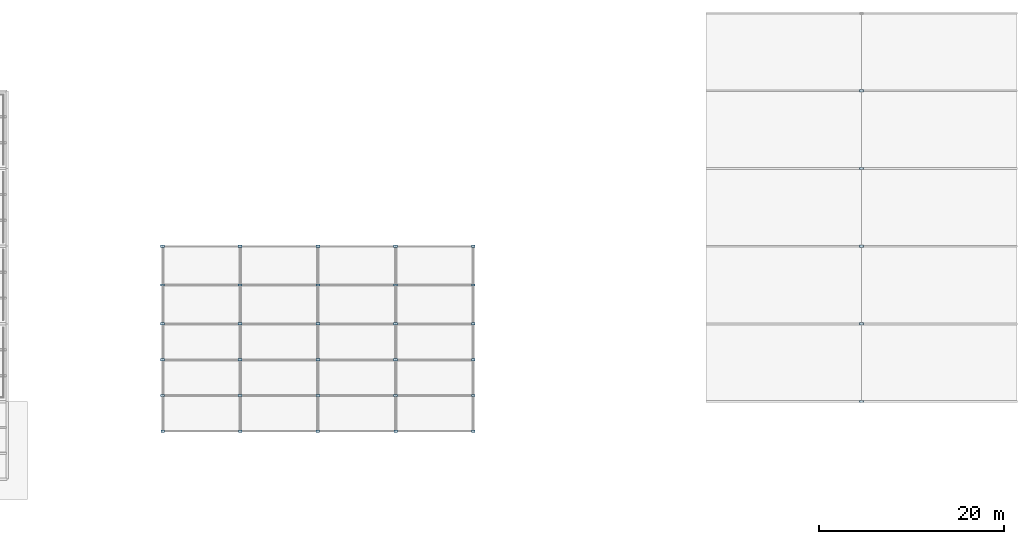
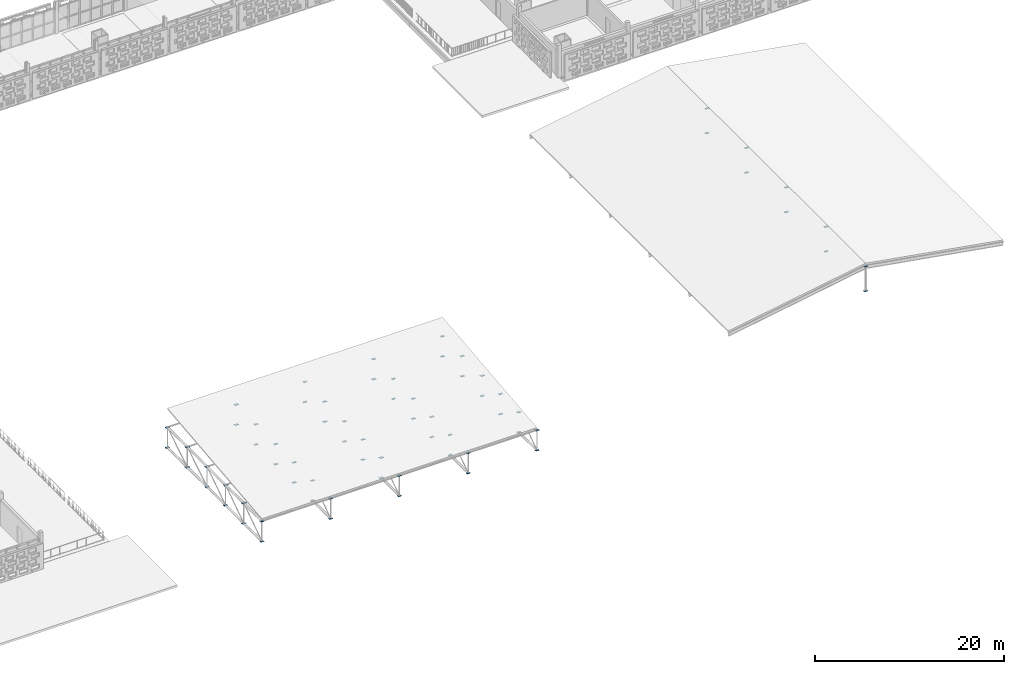
# One storey, part 81 of 140: 70 plates.
"""IFC4 building model written with IfcOpenShell, lengths in metres."""

from ifc_helpers import new_model, si_unit, direction, frame, origin, origin_2d, place, context, subcontext, project, spatial, rectangle, extrude, material, layer, layer_set, type_object, element, save


model = new_model("IFC4")

# Units and contexts
model_context = context("Model", 3, precision=1e-05, world=origin(), true_north=direction((0.0, 1.0)))
body_context = subcontext(model_context, "Body", "Model", "MODEL_VIEW")
ifc_project = project(units=[si_unit("LENGTHUNIT", "METRE"), si_unit("AREAUNIT", "SQUARE_METRE"), si_unit("VOLUMEUNIT", "CUBIC_METRE"), si_unit("PLANEANGLEUNIT", "RADIAN"), si_unit("MASSUNIT", "GRAM", prefix="KILO")], contexts=[model_context])

# Site, building, storey
site_placement = place(None, origin())
site = spatial("IfcSite", under=ifc_project, at=site_placement, CompositionType="ELEMENT")
building_placement = place(site_placement, origin())
building = spatial("IfcBuilding", under=site, at=building_placement, Name="Varnapada Polytechnic", CompositionType="ELEMENT")
storey_placement = place(building_placement, frame((0.0, 0.0, 13.800048828125)))
storey = spatial("IfcBuildingStorey", under=building, at=storey_placement, Name="L03", CompositionType="ELEMENT", Elevation=13.800048828125)

# Plates
ifc_material = material(Name="Steel S355", Category="steel")
ifc_layer_1 = layer(ifc_material, 0.01806640625)
ifc_layer_set_1 = layer_set([ifc_layer_1], Name="Steel S355")
plate_type_1 = type_object("IfcPlateType", Name="Plate BP-06", PredefinedType="SHEET", material=ifc_layer_set_1)
for number, where, z_axis, x_axis, name in (
    (1, (151.199951171875, 8.39990234375, -0.009033203125), (0.0, 0.0, 1.0), (1.0, 0.0, 0.0), "Post splice gusset plate V3-RPPL-01 B"),
    (2, (151.199951171875, 8.39990234375, 3.1708984375), (0.0, 0.0, 1.0), (1.0, 0.0, 0.0), "Post splice gusset plate V3-RPPL-01 T"),
    (3, (151.199951171875, 16.800048828125, -0.009033203125), (0.0, 0.0, 1.0), (1.0, 0.0, 0.0), "Post splice gusset plate V3-RPPL-02 B"),
    (4, (151.199951171875, 16.800048828125, 3.1708984375), (0.0, 0.0, 1.0), (1.0, 0.0, 0.0), "Post splice gusset plate V3-RPPL-02 T"),
    (5, (151.199951171875, 25.199951171875, -0.009033203125), (0.0, 0.0, 1.0), (1.0, 0.0, 0.0), "Post splice gusset plate V3-RPPL-03 B"),
    (6, (151.199951171875, 25.199951171875, 3.1708984375), (0.0, 0.0, 1.0), (1.0, 0.0, 0.0), "Post splice gusset plate V3-RPPL-03 T"),
    (7, (151.199951171875, 33.60009765625, -0.009033203125), (0.0, 0.0, 1.0), (1.0, 0.0, 0.0), "Post splice gusset plate V3-RPPL-04 B"),
    (8, (151.199951171875, 33.60009765625, 3.1708984375), (0.0, 0.0, 1.0), (1.0, 0.0, 0.0), "Post splice gusset plate V3-RPPL-04 T"),
    (9, (151.199951171875, 42.0, -0.009033203125), (0.0, 0.0, 1.0), (1.0, 0.0, 0.0), "Post splice gusset plate V3-RPPL-05 B"),
    (10, (151.199951171875, 42.0, 3.1708984375), (0.0, 0.0, 1.0), (1.0, 0.0, 0.0), "Post splice gusset plate V3-RPPL-05 T"),
):
    element("IfcPlate", number, at=place(storey_placement, frame(where, z_axis=z_axis, x_axis=x_axis)), inside=storey, type_object=plate_type_1, Name=name, PredefinedType="SHEET", context=body_context, shape_type="SweptSolid", body=[
        extrude(rectangle(XDim=0.39990234375, YDim=0.25, at=origin_2d()), origin(), (0.0, 0.0, 1.0), 0.01806640625),
    ])
ifc_layer_2 = layer(ifc_material, 0.02197265625)
ifc_layer_set_2 = layer_set([ifc_layer_2], Name="Steel S355")
plate_type_2 = type_object("IfcPlateType", Name="Plate NP-02", PredefinedType="USERDEFINED", material=ifc_layer_set_2)
for number, where, z_axis, x_axis, name in (
    (11, (75.60009765625, 25.199951171875, -1.361083984375), (0.0, 0.0, 1.0), (1.0, 0.0, 0.0), "Entrance canopy space frame T node plate 1.1"),
    (12, (75.60009765625, 25.199951171875, -3.9609375), (0.0, 0.0, 1.0), (1.0, 0.0, 0.0), "Entrance canopy space frame B node plate 1.1"),
    (13, (75.60009765625, 21.0, -1.361083984375), (0.0, 0.0, 1.0), (1.0, 0.0, 0.0), "Entrance canopy space frame T node plate 1.2"),
    (14, (75.60009765625, 21.0, -3.9609375), (0.0, 0.0, 1.0), (1.0, 0.0, 0.0), "Entrance canopy space frame B node plate 1.2"),
    (15, (75.60009765625, 16.800048828125, -1.361083984375), (0.0, 0.0, 1.0), (1.0, 0.0, 0.0), "Entrance canopy space frame T node plate 1.3"),
    (16, (75.60009765625, 16.800048828125, -3.9609375), (0.0, 0.0, 1.0), (1.0, 0.0, 0.0), "Entrance canopy space frame B node plate 1.3"),
    (17, (75.60009765625, 12.89990234375, -1.361083984375), (0.0, 0.0, 1.0), (1.0, 0.0, 0.0), "Entrance canopy space frame T node plate 1.4"),
    (18, (75.60009765625, 12.89990234375, -3.9609375), (0.0, 0.0, 1.0), (1.0, 0.0, 0.0), "Entrance canopy space frame B node plate 1.4"),
    (19, (75.60009765625, 9.050048828125, -1.361083984375), (0.0, 0.0, 1.0), (1.0, 0.0, 0.0), "Entrance canopy space frame T node plate 1.5"),
    (20, (75.60009765625, 9.050048828125, -3.9609375), (0.0, 0.0, 1.0), (1.0, 0.0, 0.0), "Entrance canopy space frame B node plate 1.5"),
    (21, (84.0, 25.199951171875, -1.361083984375), (0.0, 0.0, 1.0), (1.0, 0.0, 0.0), "Entrance canopy space frame T node plate 2.1"),
    (22, (84.0, 25.199951171875, -3.9609375), (0.0, 0.0, 1.0), (1.0, 0.0, 0.0), "Entrance canopy space frame B node plate 2.1"),
    (23, (84.0, 21.0, -1.361083984375), (0.0, 0.0, 1.0), (1.0, 0.0, 0.0), "Entrance canopy space frame T node plate 2.2"),
    (24, (84.0, 21.0, -3.9609375), (0.0, 0.0, 1.0), (1.0, 0.0, 0.0), "Entrance canopy space frame B node plate 2.2"),
    (25, (84.0, 16.800048828125, -1.361083984375), (0.0, 0.0, 1.0), (1.0, 0.0, 0.0), "Entrance canopy space frame T node plate 2.3"),
    (26, (84.0, 16.800048828125, -3.9609375), (0.0, 0.0, 1.0), (1.0, 0.0, 0.0), "Entrance canopy space frame B node plate 2.3"),
    (27, (84.0, 12.89990234375, -1.361083984375), (0.0, 0.0, 1.0), (1.0, 0.0, 0.0), "Entrance canopy space frame T node plate 2.4"),
    (28, (84.0, 12.89990234375, -3.9609375), (0.0, 0.0, 1.0), (1.0, 0.0, 0.0), "Entrance canopy space frame B node plate 2.4"),
    (29, (84.0, 9.050048828125, -1.361083984375), (0.0, 0.0, 1.0), (1.0, 0.0, 0.0), "Entrance canopy space frame T node plate 2.5"),
    (30, (84.0, 9.050048828125, -3.9609375), (0.0, 0.0, 1.0), (1.0, 0.0, 0.0), "Entrance canopy space frame B node plate 2.5"),
    (31, (92.39990234375, 25.199951171875, -1.361083984375), (0.0, 0.0, 1.0), (1.0, 0.0, 0.0), "Entrance canopy space frame T node plate 3.1"),
    (32, (92.39990234375, 25.199951171875, -3.9609375), (0.0, 0.0, 1.0), (1.0, 0.0, 0.0), "Entrance canopy space frame B node plate 3.1"),
    (33, (92.39990234375, 21.0, -1.361083984375), (0.0, 0.0, 1.0), (1.0, 0.0, 0.0), "Entrance canopy space frame T node plate 3.2"),
    (34, (92.39990234375, 21.0, -3.9609375), (0.0, 0.0, 1.0), (1.0, 0.0, 0.0), "Entrance canopy space frame B node plate 3.2"),
    (35, (92.39990234375, 16.800048828125, -1.361083984375), (0.0, 0.0, 1.0), (1.0, 0.0, 0.0), "Entrance canopy space frame T node plate 3.3"),
    (36, (92.39990234375, 16.800048828125, -3.9609375), (0.0, 0.0, 1.0), (1.0, 0.0, 0.0), "Entrance canopy space frame B node plate 3.3"),
    (37, (92.39990234375, 12.89990234375, -1.361083984375), (0.0, 0.0, 1.0), (1.0, 0.0, 0.0), "Entrance canopy space frame T node plate 3.4"),
    (38, (92.39990234375, 12.89990234375, -3.9609375), (0.0, 0.0, 1.0), (1.0, 0.0, 0.0), "Entrance canopy space frame B node plate 3.4"),
    (39, (92.39990234375, 9.050048828125, -1.361083984375), (0.0, 0.0, 1.0), (1.0, 0.0, 0.0), "Entrance canopy space frame T node plate 3.5"),
    (40, (92.39990234375, 9.050048828125, -3.9609375), (0.0, 0.0, 1.0), (1.0, 0.0, 0.0), "Entrance canopy space frame B node plate 3.5"),
    (41, (100.800048828125, 25.199951171875, -1.361083984375), (0.0, 0.0, 1.0), (1.0, 0.0, 0.0), "Entrance canopy space frame T node plate 4.1"),
    (42, (100.800048828125, 25.199951171875, -3.9609375), (0.0, 0.0, 1.0), (1.0, 0.0, 0.0), "Entrance canopy space frame B node plate 4.1"),
    (43, (100.800048828125, 21.0, -1.361083984375), (0.0, 0.0, 1.0), (1.0, 0.0, 0.0), "Entrance canopy space frame T node plate 4.2"),
    (44, (100.800048828125, 21.0, -3.9609375), (0.0, 0.0, 1.0), (1.0, 0.0, 0.0), "Entrance canopy space frame B node plate 4.2"),
    (45, (100.800048828125, 16.800048828125, -1.361083984375), (0.0, 0.0, 1.0), (1.0, 0.0, 0.0), "Entrance canopy space frame T node plate 4.3"),
    (46, (100.800048828125, 16.800048828125, -3.9609375), (0.0, 0.0, 1.0), (1.0, 0.0, 0.0), "Entrance canopy space frame B node plate 4.3"),
    (47, (100.800048828125, 12.89990234375, -1.361083984375), (0.0, 0.0, 1.0), (1.0, 0.0, 0.0), "Entrance canopy space frame T node plate 4.4"),
    (48, (100.800048828125, 12.89990234375, -3.9609375), (0.0, 0.0, 1.0), (1.0, 0.0, 0.0), "Entrance canopy space frame B node plate 4.4"),
    (49, (100.800048828125, 9.050048828125, -1.361083984375), (0.0, 0.0, 1.0), (1.0, 0.0, 0.0), "Entrance canopy space frame T node plate 4.5"),
    (50, (100.800048828125, 9.050048828125, -3.9609375), (0.0, 0.0, 1.0), (1.0, 0.0, 0.0), "Entrance canopy space frame B node plate 4.5"),
    (51, (109.199951171875, 25.199951171875, -1.361083984375), (0.0, 0.0, 1.0), (1.0, 0.0, 0.0), "Entrance canopy space frame T node plate 5.1"),
    (52, (109.199951171875, 25.199951171875, -3.9609375), (0.0, 0.0, 1.0), (1.0, 0.0, 0.0), "Entrance canopy space frame B node plate 5.1"),
    (53, (109.199951171875, 21.0, -1.361083984375), (0.0, 0.0, 1.0), (1.0, 0.0, 0.0), "Entrance canopy space frame T node plate 5.2"),
    (54, (109.199951171875, 21.0, -3.9609375), (0.0, 0.0, 1.0), (1.0, 0.0, 0.0), "Entrance canopy space frame B node plate 5.2"),
    (55, (109.199951171875, 16.800048828125, -1.361083984375), (0.0, 0.0, 1.0), (1.0, 0.0, 0.0), "Entrance canopy space frame T node plate 5.3"),
    (56, (109.199951171875, 16.800048828125, -3.9609375), (0.0, 0.0, 1.0), (1.0, 0.0, 0.0), "Entrance canopy space frame B node plate 5.3"),
    (57, (109.199951171875, 12.89990234375, -1.361083984375), (0.0, 0.0, 1.0), (1.0, 0.0, 0.0), "Entrance canopy space frame T node plate 5.4"),
    (58, (109.199951171875, 12.89990234375, -3.9609375), (0.0, 0.0, 1.0), (1.0, 0.0, 0.0), "Entrance canopy space frame B node plate 5.4"),
    (59, (109.199951171875, 9.050048828125, -1.361083984375), (0.0, 0.0, 1.0), (1.0, 0.0, 0.0), "Entrance canopy space frame T node plate 5.5"),
    (60, (109.199951171875, 9.050048828125, -3.9609375), (0.0, 0.0, 1.0), (1.0, 0.0, 0.0), "Entrance canopy space frame B node plate 5.5"),
):
    element("IfcPlate", number, at=place(storey_placement, frame(where, z_axis=z_axis, x_axis=x_axis)), inside=storey, type_object=plate_type_2, Name=name, ObjectType="NODE_PLATE", PredefinedType="USERDEFINED", context=body_context, shape_type="SweptSolid", body=[
        extrude(rectangle(XDim=0.419921875, YDim=0.260009765625, at=origin_2d()), origin(), (0.0, 0.0, 1.0), 0.02197265625),
    ])
ifc_layer_3 = layer(ifc_material, 0.02001953125)
ifc_layer_set_3 = layer_set([ifc_layer_3], Name="Steel S355")
plate_type_3 = type_object("IfcPlateType", Name="Plate NP-04", PredefinedType="USERDEFINED", material=ifc_layer_set_3)
for number, where, z_axis, x_axis, name in (
    (61, (75.60009765625, 5.199951171875, -1.360107421875), (0.0, 0.0, 1.0), (1.0, 0.0, 0.0), "Entrance canopy space frame T node plate 1.6"),
    (62, (75.60009765625, 5.199951171875, -3.9599609375), (0.0, 0.0, 1.0), (1.0, 0.0, 0.0), "Entrance canopy space frame B node plate 1.6"),
    (63, (84.0, 5.199951171875, -1.360107421875), (0.0, 0.0, 1.0), (1.0, 0.0, 0.0), "Entrance canopy space frame T node plate 2.6"),
    (64, (84.0, 5.199951171875, -3.9599609375), (0.0, 0.0, 1.0), (1.0, 0.0, 0.0), "Entrance canopy space frame B node plate 2.6"),
    (65, (92.39990234375, 5.199951171875, -1.360107421875), (0.0, 0.0, 1.0), (1.0, 0.0, 0.0), "Entrance canopy space frame T node plate 3.6"),
    (66, (92.39990234375, 5.199951171875, -3.9599609375), (0.0, 0.0, 1.0), (1.0, 0.0, 0.0), "Entrance canopy space frame B node plate 3.6"),
    (67, (100.800048828125, 5.199951171875, -1.360107421875), (0.0, 0.0, 1.0), (1.0, 0.0, 0.0), "Entrance canopy space frame T node plate 4.6"),
    (68, (100.800048828125, 5.199951171875, -3.9599609375), (0.0, 0.0, 1.0), (1.0, 0.0, 0.0), "Entrance canopy space frame B node plate 4.6"),
    (69, (109.199951171875, 5.199951171875, -1.360107421875), (0.0, 0.0, 1.0), (1.0, 0.0, 0.0), "Entrance canopy space frame T node plate 5.6"),
    (70, (109.199951171875, 5.199951171875, -3.9599609375), (0.0, 0.0, 1.0), (1.0, 0.0, 0.0), "Entrance canopy space frame B node plate 5.6"),
):
    element("IfcPlate", number, at=place(storey_placement, frame(where, z_axis=z_axis, x_axis=x_axis)), inside=storey, type_object=plate_type_3, Name=name, ObjectType="NODE_PLATE", PredefinedType="USERDEFINED", context=body_context, shape_type="SweptSolid", body=[
        extrude(rectangle(XDim=0.3798828125, YDim=0.239990234375, at=origin_2d()), origin(), (0.0, 0.0, 1.0), 0.02001953125),
    ])

save(model, "model.ifc")
